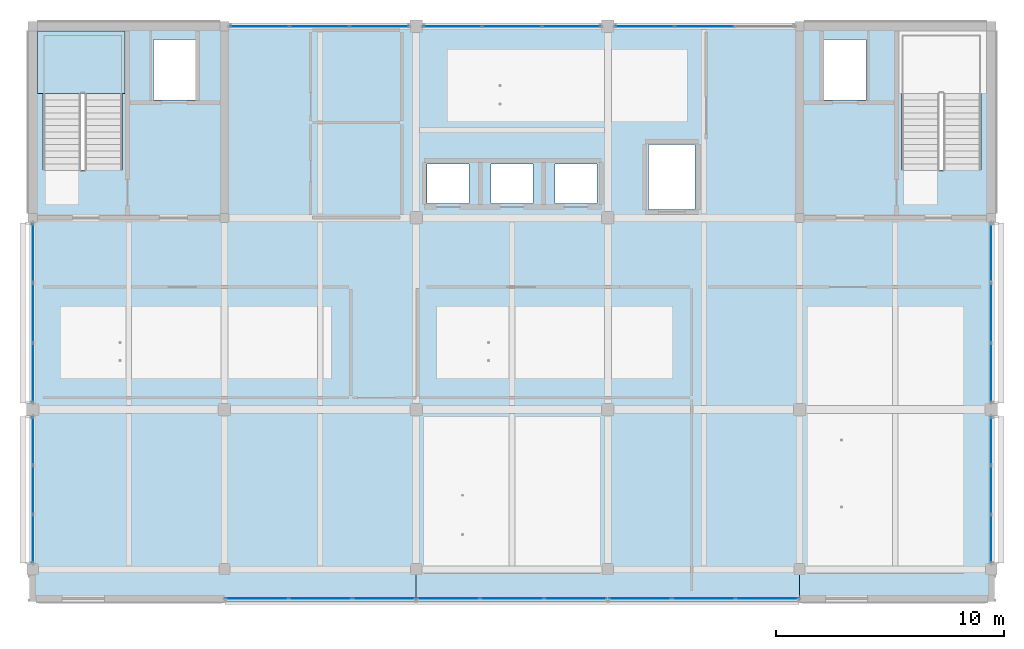
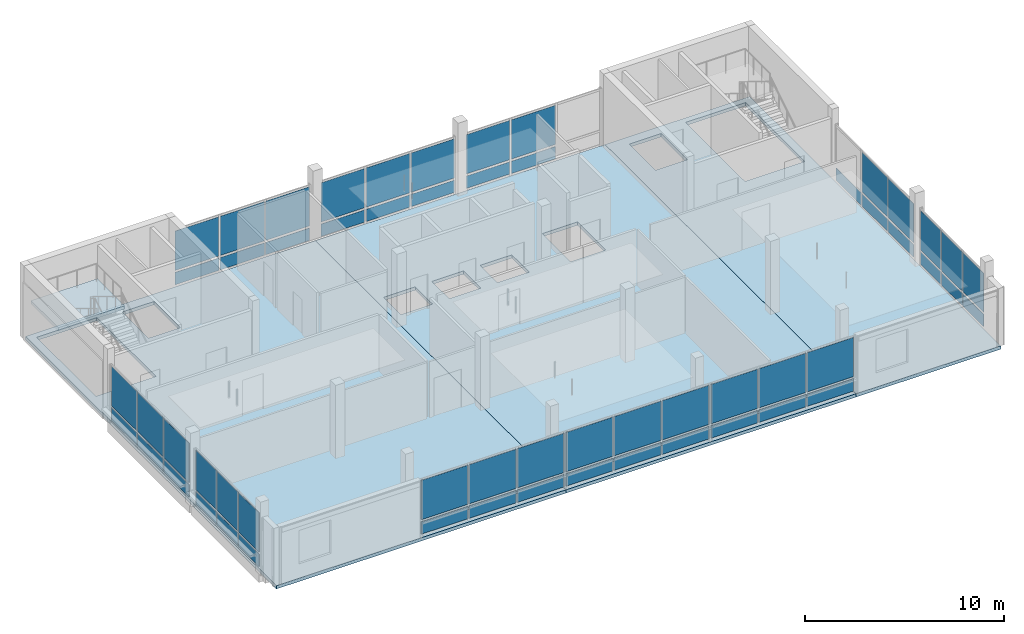
# One storey, part 6 of 20: 57 plates, 4 slabs, 11 elements without a shape of their own.
"""IFC4 building model written with IfcOpenShell, lengths in metres."""

from ifc_helpers import new_model, si_unit, direction, frame, origin, origin_2d, place, context, subcontext, project, spatial, polyline, rectangle, outline, extrude, material, layer, layer_set, type_object, element, aggregate, save


model = new_model("IFC4")

# Units and contexts
model_context = context("Model", 3, precision=1e-05, world=origin(), true_north=direction((0.0, 1.0)))
body_context = subcontext(model_context, "Body", "Model", "MODEL_VIEW")
ifc_project = project(units=[si_unit("LENGTHUNIT", "METRE"), si_unit("AREAUNIT", "SQUARE_METRE"), si_unit("VOLUMEUNIT", "CUBIC_METRE"), si_unit("PLANEANGLEUNIT", "RADIAN"), si_unit("MASSUNIT", "GRAM", prefix="KILO")], contexts=[model_context])

# Site, building, storey
site_placement = place(None, origin())
site = spatial("IfcSite", under=ifc_project, at=site_placement, CompositionType="ELEMENT")
building_placement = place(site_placement, origin())
building = spatial("IfcBuilding", under=site, at=building_placement, Name="Telukmera Botanical Conservatory", CompositionType="ELEMENT")
storey_placement = place(building_placement, frame((0.0, 0.0, 69.0)))
storey = spatial("IfcBuildingStorey", under=building, at=storey_placement, Name="L15", CompositionType="ELEMENT", Elevation=69.0)

# Curtain wall, plates
ifc_material_1 = material(Name="Anodised aluminium 6063-T6", Category="aluminium")
ifc_layer_1 = layer(ifc_material_1, 0.179931640625)
ifc_layer_set_1 = layer_set([ifc_layer_1], Name="Anodised aluminium 6063-T6")
curtain_wall_type = type_object("IfcCurtainWallType", Name="Tower Sky Gallery Panoramic Curtain Wall", PredefinedType="USERDEFINED", material=ifc_layer_set_1)
curtain_wall_1_placement = place(storey_placement, origin())
curtain_wall_1 = element("IfcCurtainWall", 1, at=curtain_wall_1_placement, inside=storey, type_object=curtain_wall_type, Name="Unitised Curtain Wall CW16 V4:L15:S2", ObjectType="UNITISED CURTAIN WALL", PredefinedType="USERDEFINED")
ifc_material_2 = material(Name="Spectrally selective low-E double glazing", Category="glass")
ifc_layer_2 = layer(ifc_material_2, 0.02392578125)
ifc_layer_set_2 = layer_set([ifc_layer_2], Name="Spectrally selective low-E double glazing")
plate_type = type_object("IfcPlateType", Name="High Light Transmission Conservatory Glazing Panel 24", PredefinedType="CURTAIN_PANEL", material=ifc_layer_set_2)
plate_1_placement = place(storey_placement, frame((68.61767578125, 9.320068359375, 0.130126953125), z_axis=(0.0, 0.0, 1.0), x_axis=(1.0, 0.0, 0.0)))
plate_1 = element("IfcPlate", 2, at=plate_1_placement, type_object=plate_type, Name="CW16 panel 1.1", PredefinedType="CURTAIN_PANEL", context=body_context, shape_type="SweptSolid", body=[
    extrude(rectangle(XDim=2.701171875, YDim=0.02392578125, at=origin_2d()), origin(), (0.0, 0.0, 1.0), 0.7548828125),
])
plate_2_placement = place(storey_placement, frame((68.61767578125, 9.320068359375, 1.01513671875), z_axis=(0.0, 0.0, 1.0), x_axis=(1.0, 0.0, 0.0)))
plate_2 = element("IfcPlate", 3, at=plate_2_placement, type_object=plate_type, Name="CW16 panel 1.2", PredefinedType="CURTAIN_PANEL", context=body_context, shape_type="SweptSolid", body=[
    extrude(rectangle(XDim=2.701171875, YDim=0.02392578125, at=origin_2d()), origin(), (0.0, 0.0, 1.0), 2.405029296875),
])
plate_3_placement = place(storey_placement, frame((71.39990234375, 9.320068359375, 0.130126953125), z_axis=(0.0, 0.0, 1.0), x_axis=(1.0, 0.0, 0.0)))
plate_3 = element("IfcPlate", 4, at=plate_3_placement, type_object=plate_type, Name="CW16 panel 2.1", PredefinedType="CURTAIN_PANEL", context=body_context, shape_type="SweptSolid", body=[
    extrude(rectangle(XDim=2.733642578125, YDim=0.02392578125, at=origin_2d()), origin(), (0.0, 0.0, 1.0), 0.7548828125),
])
plate_4_placement = place(storey_placement, frame((71.39990234375, 9.320068359375, 1.01513671875), z_axis=(0.0, 0.0, 1.0), x_axis=(1.0, 0.0, 0.0)))
plate_4 = element("IfcPlate", 5, at=plate_4_placement, type_object=plate_type, Name="CW16 panel 2.2", PredefinedType="CURTAIN_PANEL", context=body_context, shape_type="SweptSolid", body=[
    extrude(rectangle(XDim=2.733642578125, YDim=0.02392578125, at=origin_2d()), origin(), (0.0, 0.0, 1.0), 2.405029296875),
])
plate_5_placement = place(storey_placement, frame((74.182373046875, 9.320068359375, 0.130126953125), z_axis=(0.0, 0.0, 1.0), x_axis=(1.0, 0.0, 0.0)))
plate_5 = element("IfcPlate", 6, at=plate_5_placement, type_object=plate_type, Name="CW16 panel 3.1", PredefinedType="CURTAIN_PANEL", context=body_context, shape_type="SweptSolid", body=[
    extrude(rectangle(XDim=2.701171875, YDim=0.02392578125, at=origin_2d()), origin(), (0.0, 0.0, 1.0), 0.7548828125),
])
plate_6_placement = place(storey_placement, frame((74.182373046875, 9.320068359375, 1.01513671875), z_axis=(0.0, 0.0, 1.0), x_axis=(1.0, 0.0, 0.0)))
plate_6 = element("IfcPlate", 7, at=plate_6_placement, type_object=plate_type, Name="CW16 panel 3.2", PredefinedType="CURTAIN_PANEL", context=body_context, shape_type="SweptSolid", body=[
    extrude(rectangle(XDim=2.701171875, YDim=0.02392578125, at=origin_2d()), origin(), (0.0, 0.0, 1.0), 2.405029296875),
])
aggregate(curtain_wall_1, [plate_1, plate_2, plate_3, plate_4, plate_5, plate_6])

curtain_wall_2_placement = place(storey_placement, origin())
curtain_wall_2 = element("IfcCurtainWall", 8, at=curtain_wall_2_placement, inside=storey, type_object=curtain_wall_type, Name="Unitised Curtain Wall CW16 V4:L15:S3", ObjectType="UNITISED CURTAIN WALL", PredefinedType="USERDEFINED")
plate_7_placement = place(storey_placement, frame((77.017578125, 9.320068359375, 0.130126953125), z_axis=(0.0, 0.0, 1.0), x_axis=(1.0, 0.0, 0.0)))
plate_7 = element("IfcPlate", 9, at=plate_7_placement, type_object=plate_type, Name="CW16 panel 1.1", PredefinedType="CURTAIN_PANEL", context=body_context, shape_type="SweptSolid", body=[
    extrude(rectangle(XDim=2.701171875, YDim=0.02392578125, at=origin_2d()), origin(), (0.0, 0.0, 1.0), 0.7548828125),
])
plate_8_placement = place(storey_placement, frame((77.017578125, 9.320068359375, 1.01513671875), z_axis=(0.0, 0.0, 1.0), x_axis=(1.0, 0.0, 0.0)))
plate_8 = element("IfcPlate", 10, at=plate_8_placement, type_object=plate_type, Name="CW16 panel 1.2", PredefinedType="CURTAIN_PANEL", context=body_context, shape_type="SweptSolid", body=[
    extrude(rectangle(XDim=2.701171875, YDim=0.02392578125, at=origin_2d()), origin(), (0.0, 0.0, 1.0), 2.405029296875),
])
plate_9_placement = place(storey_placement, frame((79.800048828125, 9.320068359375, 0.130126953125), z_axis=(0.0, 0.0, 1.0), x_axis=(1.0, 0.0, 0.0)))
plate_9 = element("IfcPlate", 11, at=plate_9_placement, type_object=plate_type, Name="CW16 panel 2.1", PredefinedType="CURTAIN_PANEL", context=body_context, shape_type="SweptSolid", body=[
    extrude(rectangle(XDim=2.733642578125, YDim=0.02392578125, at=origin_2d()), origin(), (0.0, 0.0, 1.0), 0.7548828125),
])
plate_10_placement = place(storey_placement, frame((79.800048828125, 9.320068359375, 1.01513671875), z_axis=(0.0, 0.0, 1.0), x_axis=(1.0, 0.0, 0.0)))
plate_10 = element("IfcPlate", 12, at=plate_10_placement, type_object=plate_type, Name="CW16 panel 2.2", PredefinedType="CURTAIN_PANEL", context=body_context, shape_type="SweptSolid", body=[
    extrude(rectangle(XDim=2.733642578125, YDim=0.02392578125, at=origin_2d()), origin(), (0.0, 0.0, 1.0), 2.405029296875),
])
plate_11_placement = place(storey_placement, frame((82.58251953125, 9.320068359375, 0.130126953125), z_axis=(0.0, 0.0, 1.0), x_axis=(1.0, 0.0, 0.0)))
plate_11 = element("IfcPlate", 13, at=plate_11_placement, type_object=plate_type, Name="CW16 panel 3.1", PredefinedType="CURTAIN_PANEL", context=body_context, shape_type="SweptSolid", body=[
    extrude(rectangle(XDim=2.701171875, YDim=0.02392578125, at=origin_2d()), origin(), (0.0, 0.0, 1.0), 0.7548828125),
])
plate_12_placement = place(storey_placement, frame((82.58251953125, 9.320068359375, 1.01513671875), z_axis=(0.0, 0.0, 1.0), x_axis=(1.0, 0.0, 0.0)))
plate_12 = element("IfcPlate", 14, at=plate_12_placement, type_object=plate_type, Name="CW16 panel 3.2", PredefinedType="CURTAIN_PANEL", context=body_context, shape_type="SweptSolid", body=[
    extrude(rectangle(XDim=2.701171875, YDim=0.02392578125, at=origin_2d()), origin(), (0.0, 0.0, 1.0), 2.405029296875),
])
aggregate(curtain_wall_2, [plate_7, plate_8, plate_9, plate_10, plate_11, plate_12])

curtain_wall_3_placement = place(storey_placement, origin())
curtain_wall_3 = element("IfcCurtainWall", 15, at=curtain_wall_3_placement, inside=storey, type_object=curtain_wall_type, Name="Unitised Curtain Wall CW16 V4:L15:S4", ObjectType="UNITISED CURTAIN WALL", PredefinedType="USERDEFINED")
plate_13_placement = place(storey_placement, frame((85.41748046875, 9.320068359375, 0.130126953125), z_axis=(0.0, 0.0, 1.0), x_axis=(1.0, 0.0, 0.0)))
plate_13 = element("IfcPlate", 16, at=plate_13_placement, type_object=plate_type, Name="CW16 panel 1.1", PredefinedType="CURTAIN_PANEL", context=body_context, shape_type="SweptSolid", body=[
    extrude(rectangle(XDim=2.701171875, YDim=0.02392578125, at=origin_2d()), origin(), (0.0, 0.0, 1.0), 0.7548828125),
])
plate_14_placement = place(storey_placement, frame((85.41748046875, 9.320068359375, 1.01513671875), z_axis=(0.0, 0.0, 1.0), x_axis=(1.0, 0.0, 0.0)))
plate_14 = element("IfcPlate", 17, at=plate_14_placement, type_object=plate_type, Name="CW16 panel 1.2", PredefinedType="CURTAIN_PANEL", context=body_context, shape_type="SweptSolid", body=[
    extrude(rectangle(XDim=2.701171875, YDim=0.02392578125, at=origin_2d()), origin(), (0.0, 0.0, 1.0), 2.405029296875),
])
plate_15_placement = place(storey_placement, frame((88.199951171875, 9.320068359375, 0.130126953125), z_axis=(0.0, 0.0, 1.0), x_axis=(1.0, 0.0, 0.0)))
plate_15 = element("IfcPlate", 18, at=plate_15_placement, type_object=plate_type, Name="CW16 panel 2.1", PredefinedType="CURTAIN_PANEL", context=body_context, shape_type="SweptSolid", body=[
    extrude(rectangle(XDim=2.733642578125, YDim=0.02392578125, at=origin_2d()), origin(), (0.0, 0.0, 1.0), 0.7548828125),
])
plate_16_placement = place(storey_placement, frame((88.199951171875, 9.320068359375, 1.01513671875), z_axis=(0.0, 0.0, 1.0), x_axis=(1.0, 0.0, 0.0)))
plate_16 = element("IfcPlate", 19, at=plate_16_placement, type_object=plate_type, Name="CW16 panel 2.2", PredefinedType="CURTAIN_PANEL", context=body_context, shape_type="SweptSolid", body=[
    extrude(rectangle(XDim=2.733642578125, YDim=0.02392578125, at=origin_2d()), origin(), (0.0, 0.0, 1.0), 2.405029296875),
])
plate_17_placement = place(storey_placement, frame((90.982421875, 9.320068359375, 0.130126953125), z_axis=(0.0, 0.0, 1.0), x_axis=(1.0, 0.0, 0.0)))
plate_17 = element("IfcPlate", 20, at=plate_17_placement, type_object=plate_type, Name="CW16 panel 3.1", PredefinedType="CURTAIN_PANEL", context=body_context, shape_type="SweptSolid", body=[
    extrude(rectangle(XDim=2.701171875, YDim=0.02392578125, at=origin_2d()), origin(), (0.0, 0.0, 1.0), 0.7548828125),
])
plate_18_placement = place(storey_placement, frame((90.982421875, 9.320068359375, 1.01513671875), z_axis=(0.0, 0.0, 1.0), x_axis=(1.0, 0.0, 0.0)))
plate_18 = element("IfcPlate", 21, at=plate_18_placement, type_object=plate_type, Name="CW16 panel 3.2", PredefinedType="CURTAIN_PANEL", context=body_context, shape_type="SweptSolid", body=[
    extrude(rectangle(XDim=2.701171875, YDim=0.02392578125, at=origin_2d()), origin(), (0.0, 0.0, 1.0), 2.405029296875),
])
aggregate(curtain_wall_3, [plate_13, plate_14, plate_15, plate_16, plate_17, plate_18])

curtain_wall_4_placement = place(storey_placement, origin())
curtain_wall_4 = element("IfcCurtainWall", 22, at=curtain_wall_4_placement, inside=storey, type_object=curtain_wall_type, Name="Unitised Curtain Wall CW16 V4:L15:N2", ObjectType="UNITISED CURTAIN WALL", PredefinedType="USERDEFINED")
plate_19_placement = place(storey_placement, frame((68.738525390625, 34.39990234375, 0.130126953125), z_axis=(0.0, 0.0, 1.0), x_axis=(1.0, 0.0, 0.0)))
plate_19 = element("IfcPlate", 23, at=plate_19_placement, type_object=plate_type, Name="CW16 panel 1.1", PredefinedType="CURTAIN_PANEL", context=body_context, shape_type="SweptSolid", body=[
    extrude(rectangle(XDim=2.542724609375, YDim=0.02392578125, at=origin_2d()), origin(), (0.0, 0.0, 1.0), 0.7548828125),
])
plate_20_placement = place(storey_placement, frame((68.738525390625, 34.39990234375, 1.01513671875), z_axis=(0.0, 0.0, 1.0), x_axis=(1.0, 0.0, 0.0)))
plate_20 = element("IfcPlate", 24, at=plate_20_placement, type_object=plate_type, Name="CW16 panel 1.2", PredefinedType="CURTAIN_PANEL", context=body_context, shape_type="SweptSolid", body=[
    extrude(rectangle(XDim=2.542724609375, YDim=0.02392578125, at=origin_2d()), origin(), (0.0, 0.0, 1.0), 2.405029296875),
])
plate_21_placement = place(storey_placement, frame((71.362548828125, 34.39990234375, 0.130126953125), z_axis=(0.0, 0.0, 1.0), x_axis=(1.0, 0.0, 0.0)))
plate_21 = element("IfcPlate", 25, at=plate_21_placement, type_object=plate_type, Name="CW16 panel 2.1", PredefinedType="CURTAIN_PANEL", context=body_context, shape_type="SweptSolid", body=[
    extrude(rectangle(XDim=2.575439453125, YDim=0.02392578125, at=origin_2d()), origin(), (0.0, 0.0, 1.0), 0.7548828125),
])
plate_22_placement = place(storey_placement, frame((71.362548828125, 34.39990234375, 1.01513671875), z_axis=(0.0, 0.0, 1.0), x_axis=(1.0, 0.0, 0.0)))
plate_22 = element("IfcPlate", 26, at=plate_22_placement, type_object=plate_type, Name="CW16 panel 2.2", PredefinedType="CURTAIN_PANEL", context=body_context, shape_type="SweptSolid", body=[
    extrude(rectangle(XDim=2.575439453125, YDim=0.02392578125, at=origin_2d()), origin(), (0.0, 0.0, 1.0), 2.405029296875),
])
plate_23_placement = place(storey_placement, frame((73.986572265625, 34.39990234375, 0.130126953125), z_axis=(0.0, 0.0, 1.0), x_axis=(1.0, 0.0, 0.0)))
plate_23 = element("IfcPlate", 27, at=plate_23_placement, type_object=plate_type, Name="CW16 panel 3.1", PredefinedType="CURTAIN_PANEL", context=body_context, shape_type="SweptSolid", body=[
    extrude(rectangle(XDim=2.542724609375, YDim=0.02392578125, at=origin_2d()), origin(), (0.0, 0.0, 1.0), 0.7548828125),
])
plate_24_placement = place(storey_placement, frame((73.986572265625, 34.39990234375, 1.01513671875), z_axis=(0.0, 0.0, 1.0), x_axis=(1.0, 0.0, 0.0)))
plate_24 = element("IfcPlate", 28, at=plate_24_placement, type_object=plate_type, Name="CW16 panel 3.2", PredefinedType="CURTAIN_PANEL", context=body_context, shape_type="SweptSolid", body=[
    extrude(rectangle(XDim=2.542724609375, YDim=0.02392578125, at=origin_2d()), origin(), (0.0, 0.0, 1.0), 2.405029296875),
])
aggregate(curtain_wall_4, [plate_19, plate_20, plate_21, plate_22, plate_23, plate_24])

curtain_wall_5_placement = place(storey_placement, origin())
curtain_wall_5 = element("IfcCurtainWall", 29, at=curtain_wall_5_placement, inside=storey, type_object=curtain_wall_type, Name="Unitised Curtain Wall CW16 V4:L15:N3", ObjectType="UNITISED CURTAIN WALL", PredefinedType="USERDEFINED")
plate_25_placement = place(storey_placement, frame((77.200927734375, 34.39990234375, 0.130126953125), z_axis=(0.0, 0.0, 1.0), x_axis=(1.0, 0.0, 0.0)))
plate_25 = element("IfcPlate", 30, at=plate_25_placement, type_object=plate_type, Name="CW16 panel 1.1", PredefinedType="CURTAIN_PANEL", context=body_context, shape_type="SweptSolid", body=[
    extrude(rectangle(XDim=2.517822265625, YDim=0.02392578125, at=origin_2d()), origin(), (0.0, 0.0, 1.0), 0.7548828125),
])
plate_26_placement = place(storey_placement, frame((77.200927734375, 34.39990234375, 1.01513671875), z_axis=(0.0, 0.0, 1.0), x_axis=(1.0, 0.0, 0.0)))
plate_26 = element("IfcPlate", 31, at=plate_26_placement, type_object=plate_type, Name="CW16 panel 1.2", PredefinedType="CURTAIN_PANEL", context=body_context, shape_type="SweptSolid", body=[
    extrude(rectangle(XDim=2.517822265625, YDim=0.02392578125, at=origin_2d()), origin(), (0.0, 0.0, 1.0), 2.405029296875),
])
plate_27_placement = place(storey_placement, frame((79.800048828125, 34.39990234375, 0.130126953125), z_axis=(0.0, 0.0, 1.0), x_axis=(1.0, 0.0, 0.0)))
plate_27 = element("IfcPlate", 32, at=plate_27_placement, type_object=plate_type, Name="CW16 panel 2.1", PredefinedType="CURTAIN_PANEL", context=body_context, shape_type="SweptSolid", body=[
    extrude(rectangle(XDim=2.55029296875, YDim=0.02392578125, at=origin_2d()), origin(), (0.0, 0.0, 1.0), 0.7548828125),
])
plate_28_placement = place(storey_placement, frame((79.800048828125, 34.39990234375, 1.01513671875), z_axis=(0.0, 0.0, 1.0), x_axis=(1.0, 0.0, 0.0)))
plate_28 = element("IfcPlate", 33, at=plate_28_placement, type_object=plate_type, Name="CW16 panel 2.2", PredefinedType="CURTAIN_PANEL", context=body_context, shape_type="SweptSolid", body=[
    extrude(rectangle(XDim=2.55029296875, YDim=0.02392578125, at=origin_2d()), origin(), (0.0, 0.0, 1.0), 2.405029296875),
])
plate_29_placement = place(storey_placement, frame((82.399169921875, 34.39990234375, 0.130126953125), z_axis=(0.0, 0.0, 1.0), x_axis=(1.0, 0.0, 0.0)))
plate_29 = element("IfcPlate", 34, at=plate_29_placement, type_object=plate_type, Name="CW16 panel 3.1", PredefinedType="CURTAIN_PANEL", context=body_context, shape_type="SweptSolid", body=[
    extrude(rectangle(XDim=2.517822265625, YDim=0.02392578125, at=origin_2d()), origin(), (0.0, 0.0, 1.0), 0.7548828125),
])
plate_30_placement = place(storey_placement, frame((82.399169921875, 34.39990234375, 1.01513671875), z_axis=(0.0, 0.0, 1.0), x_axis=(1.0, 0.0, 0.0)))
plate_30 = element("IfcPlate", 35, at=plate_30_placement, type_object=plate_type, Name="CW16 panel 3.2", PredefinedType="CURTAIN_PANEL", context=body_context, shape_type="SweptSolid", body=[
    extrude(rectangle(XDim=2.517822265625, YDim=0.02392578125, at=origin_2d()), origin(), (0.0, 0.0, 1.0), 2.405029296875),
])
aggregate(curtain_wall_5, [plate_25, plate_26, plate_27, plate_28, plate_29, plate_30])

curtain_wall_6_placement = place(storey_placement, origin())
curtain_wall_6 = element("IfcCurtainWall", 36, at=curtain_wall_6_placement, inside=storey, type_object=curtain_wall_type, Name="Unitised Curtain Wall CW16 V4:L15:N4", ObjectType="UNITISED CURTAIN WALL", PredefinedType="USERDEFINED")
plate_31_placement = place(storey_placement, frame((85.613525390625, 34.39990234375, 0.130126953125), z_axis=(0.0, 0.0, 1.0), x_axis=(1.0, 0.0, 0.0)))
plate_31 = element("IfcPlate", 37, at=plate_31_placement, type_object=plate_type, Name="CW16 panel 1.1", PredefinedType="CURTAIN_PANEL", context=body_context, shape_type="SweptSolid", body=[
    extrude(rectangle(XDim=2.542724609375, YDim=0.02392578125, at=origin_2d()), origin(), (0.0, 0.0, 1.0), 0.7548828125),
])
plate_32_placement = place(storey_placement, frame((85.613525390625, 34.39990234375, 1.01513671875), z_axis=(0.0, 0.0, 1.0), x_axis=(1.0, 0.0, 0.0)))
plate_32 = element("IfcPlate", 38, at=plate_32_placement, type_object=plate_type, Name="CW16 panel 1.2", PredefinedType="CURTAIN_PANEL", context=body_context, shape_type="SweptSolid", body=[
    extrude(rectangle(XDim=2.542724609375, YDim=0.02392578125, at=origin_2d()), origin(), (0.0, 0.0, 1.0), 2.405029296875),
])
plate_33_placement = place(storey_placement, frame((88.237548828125, 34.39990234375, 0.130126953125), z_axis=(0.0, 0.0, 1.0), x_axis=(1.0, 0.0, 0.0)))
plate_33 = element("IfcPlate", 39, at=plate_33_placement, type_object=plate_type, Name="CW16 panel 2.1", PredefinedType="CURTAIN_PANEL", context=body_context, shape_type="SweptSolid", body=[
    extrude(rectangle(XDim=2.575439453125, YDim=0.02392578125, at=origin_2d()), origin(), (0.0, 0.0, 1.0), 0.7548828125),
])
plate_34_placement = place(storey_placement, frame((88.237548828125, 34.39990234375, 1.01513671875), z_axis=(0.0, 0.0, 1.0), x_axis=(1.0, 0.0, 0.0)))
plate_34 = element("IfcPlate", 40, at=plate_34_placement, type_object=plate_type, Name="CW16 panel 2.2", PredefinedType="CURTAIN_PANEL", context=body_context, shape_type="SweptSolid", body=[
    extrude(rectangle(XDim=2.575439453125, YDim=0.02392578125, at=origin_2d()), origin(), (0.0, 0.0, 1.0), 2.405029296875),
])
aggregate(curtain_wall_6, [plate_31, plate_32, plate_33, plate_34])

curtain_wall_7_placement = place(storey_placement, origin())
curtain_wall_7 = element("IfcCurtainWall", 41, at=curtain_wall_7_placement, inside=storey, type_object=curtain_wall_type, Name="Unitised Curtain Wall CW16 V4:L15:W1", ObjectType="UNITISED CURTAIN WALL", PredefinedType="USERDEFINED")
plate_35_placement = place(storey_placement, frame((58.800048828125, 11.94677734375, 0.130126953125), z_axis=(0.0, 0.0, 1.0), x_axis=(0.0, 1.0, 0.0)))
plate_35 = element("IfcPlate", 42, at=plate_35_placement, type_object=plate_type, Name="CW16 panel 1.1", PredefinedType="CURTAIN_PANEL", context=body_context, shape_type="SweptSolid", body=[
    extrude(rectangle(XDim=2.0595703125, YDim=0.02392578125, at=origin_2d()), origin(), (0.0, 0.0, 1.0), 0.7548828125),
])
plate_36_placement = place(storey_placement, frame((58.800048828125, 11.94677734375, 1.01513671875), z_axis=(0.0, 0.0, 1.0), x_axis=(0.0, 1.0, 0.0)))
plate_36 = element("IfcPlate", 43, at=plate_36_placement, type_object=plate_type, Name="CW16 panel 1.2", PredefinedType="CURTAIN_PANEL", context=body_context, shape_type="SweptSolid", body=[
    extrude(rectangle(XDim=2.0595703125, YDim=0.02392578125, at=origin_2d()), origin(), (0.0, 0.0, 1.0), 2.405029296875),
])
plate_37_placement = place(storey_placement, frame((58.800048828125, 14.08740234375, 0.130126953125), z_axis=(0.0, 0.0, 1.0), x_axis=(0.0, 1.0, 0.0)))
plate_37 = element("IfcPlate", 44, at=plate_37_placement, type_object=plate_type, Name="CW16 panel 2.1", PredefinedType="CURTAIN_PANEL", context=body_context, shape_type="SweptSolid", body=[
    extrude(rectangle(XDim=2.092041015625, YDim=0.02392578125, at=origin_2d()), origin(), (0.0, 0.0, 1.0), 0.7548828125),
])
plate_38_placement = place(storey_placement, frame((58.800048828125, 14.08740234375, 1.01513671875), z_axis=(0.0, 0.0, 1.0), x_axis=(0.0, 1.0, 0.0)))
plate_38 = element("IfcPlate", 45, at=plate_38_placement, type_object=plate_type, Name="CW16 panel 2.2", PredefinedType="CURTAIN_PANEL", context=body_context, shape_type="SweptSolid", body=[
    extrude(rectangle(XDim=2.092041015625, YDim=0.02392578125, at=origin_2d()), origin(), (0.0, 0.0, 1.0), 2.405029296875),
])
plate_39_placement = place(storey_placement, frame((58.800048828125, 16.228271484375, 0.130126953125), z_axis=(0.0, 0.0, 1.0), x_axis=(0.0, 1.0, 0.0)))
plate_39 = element("IfcPlate", 46, at=plate_39_placement, type_object=plate_type, Name="CW16 panel 3.1", PredefinedType="CURTAIN_PANEL", context=body_context, shape_type="SweptSolid", body=[
    extrude(rectangle(XDim=2.0595703125, YDim=0.02392578125, at=origin_2d()), origin(), (0.0, 0.0, 1.0), 0.7548828125),
])
plate_40_placement = place(storey_placement, frame((58.800048828125, 16.228271484375, 1.01513671875), z_axis=(0.0, 0.0, 1.0), x_axis=(0.0, 1.0, 0.0)))
plate_40 = element("IfcPlate", 47, at=plate_40_placement, type_object=plate_type, Name="CW16 panel 3.2", PredefinedType="CURTAIN_PANEL", context=body_context, shape_type="SweptSolid", body=[
    extrude(rectangle(XDim=2.0595703125, YDim=0.02392578125, at=origin_2d()), origin(), (0.0, 0.0, 1.0), 2.405029296875),
])
aggregate(curtain_wall_7, [plate_35, plate_36, plate_37, plate_38, plate_39, plate_40])

curtain_wall_8_placement = place(storey_placement, origin())
curtain_wall_8 = element("IfcCurtainWall", 48, at=curtain_wall_8_placement, inside=storey, type_object=curtain_wall_type, Name="Unitised Curtain Wall CW16 V4:L15:E1", ObjectType="UNITISED CURTAIN WALL", PredefinedType="USERDEFINED")
plate_41_placement = place(storey_placement, frame((100.800048828125, 11.94677734375, 0.130126953125), z_axis=(0.0, 0.0, 1.0), x_axis=(0.0, 1.0, 0.0)))
plate_41 = element("IfcPlate", 49, at=plate_41_placement, type_object=plate_type, Name="CW16 panel 1.1", PredefinedType="CURTAIN_PANEL", context=body_context, shape_type="SweptSolid", body=[
    extrude(rectangle(XDim=2.0595703125, YDim=0.02392578125, at=origin_2d()), origin(), (0.0, 0.0, 1.0), 0.7548828125),
])
plate_42_placement = place(storey_placement, frame((100.800048828125, 11.94677734375, 1.01513671875), z_axis=(0.0, 0.0, 1.0), x_axis=(0.0, 1.0, 0.0)))
plate_42 = element("IfcPlate", 50, at=plate_42_placement, type_object=plate_type, Name="CW16 panel 1.2", PredefinedType="CURTAIN_PANEL", context=body_context, shape_type="SweptSolid", body=[
    extrude(rectangle(XDim=2.0595703125, YDim=0.02392578125, at=origin_2d()), origin(), (0.0, 0.0, 1.0), 2.405029296875),
])
plate_43_placement = place(storey_placement, frame((100.800048828125, 14.08740234375, 0.130126953125), z_axis=(0.0, 0.0, 1.0), x_axis=(0.0, 1.0, 0.0)))
plate_43 = element("IfcPlate", 51, at=plate_43_placement, type_object=plate_type, Name="CW16 panel 2.1", PredefinedType="CURTAIN_PANEL", context=body_context, shape_type="SweptSolid", body=[
    extrude(rectangle(XDim=2.092041015625, YDim=0.02392578125, at=origin_2d()), origin(), (0.0, 0.0, 1.0), 0.7548828125),
])
plate_44_placement = place(storey_placement, frame((100.800048828125, 14.08740234375, 1.01513671875), z_axis=(0.0, 0.0, 1.0), x_axis=(0.0, 1.0, 0.0)))
plate_44 = element("IfcPlate", 52, at=plate_44_placement, type_object=plate_type, Name="CW16 panel 2.2", PredefinedType="CURTAIN_PANEL", context=body_context, shape_type="SweptSolid", body=[
    extrude(rectangle(XDim=2.092041015625, YDim=0.02392578125, at=origin_2d()), origin(), (0.0, 0.0, 1.0), 2.405029296875),
])
plate_45_placement = place(storey_placement, frame((100.800048828125, 16.228271484375, 0.130126953125), z_axis=(0.0, 0.0, 1.0), x_axis=(0.0, 1.0, 0.0)))
plate_45 = element("IfcPlate", 53, at=plate_45_placement, type_object=plate_type, Name="CW16 panel 3.1", PredefinedType="CURTAIN_PANEL", context=body_context, shape_type="SweptSolid", body=[
    extrude(rectangle(XDim=2.0595703125, YDim=0.02392578125, at=origin_2d()), origin(), (0.0, 0.0, 1.0), 0.7548828125),
])
plate_46_placement = place(storey_placement, frame((100.800048828125, 16.228271484375, 1.01513671875), z_axis=(0.0, 0.0, 1.0), x_axis=(0.0, 1.0, 0.0)))
plate_46 = element("IfcPlate", 54, at=plate_46_placement, type_object=plate_type, Name="CW16 panel 3.2", PredefinedType="CURTAIN_PANEL", context=body_context, shape_type="SweptSolid", body=[
    extrude(rectangle(XDim=2.0595703125, YDim=0.02392578125, at=origin_2d()), origin(), (0.0, 0.0, 1.0), 2.405029296875),
])
aggregate(curtain_wall_8, [plate_41, plate_42, plate_43, plate_44, plate_45, plate_46])

curtain_wall_9_placement = place(storey_placement, origin())
curtain_wall_9 = element("IfcCurtainWall", 55, at=curtain_wall_9_placement, inside=storey, type_object=curtain_wall_type, Name="Unitised Curtain Wall CW16 V4:L15:W2", ObjectType="UNITISED CURTAIN WALL", PredefinedType="USERDEFINED")
plate_47_placement = place(storey_placement, frame((58.800048828125, 19.21337890625, 0.130126953125), z_axis=(0.0, 0.0, 1.0), x_axis=(0.0, 1.0, 0.0)))
plate_47 = element("IfcPlate", 56, at=plate_47_placement, type_object=plate_type, Name="CW16 panel 1.1", PredefinedType="CURTAIN_PANEL", context=body_context, shape_type="SweptSolid", body=[
    extrude(rectangle(XDim=2.542724609375, YDim=0.02392578125, at=origin_2d()), origin(), (0.0, 0.0, 1.0), 0.7548828125),
])
plate_48_placement = place(storey_placement, frame((58.800048828125, 19.21337890625, 1.01513671875), z_axis=(0.0, 0.0, 1.0), x_axis=(0.0, 1.0, 0.0)))
plate_48 = element("IfcPlate", 57, at=plate_48_placement, type_object=plate_type, Name="CW16 panel 1.2", PredefinedType="CURTAIN_PANEL", context=body_context, shape_type="SweptSolid", body=[
    extrude(rectangle(XDim=2.542724609375, YDim=0.02392578125, at=origin_2d()), origin(), (0.0, 0.0, 1.0), 2.405029296875),
])
plate_49_placement = place(storey_placement, frame((58.800048828125, 21.83740234375, 0.130126953125), z_axis=(0.0, 0.0, 1.0), x_axis=(0.0, 1.0, 0.0)))
plate_49 = element("IfcPlate", 58, at=plate_49_placement, type_object=plate_type, Name="CW16 panel 2.1", PredefinedType="CURTAIN_PANEL", context=body_context, shape_type="SweptSolid", body=[
    extrude(rectangle(XDim=2.575439453125, YDim=0.02392578125, at=origin_2d()), origin(), (0.0, 0.0, 1.0), 0.7548828125),
])
plate_50_placement = place(storey_placement, frame((58.800048828125, 21.83740234375, 1.01513671875), z_axis=(0.0, 0.0, 1.0), x_axis=(0.0, 1.0, 0.0)))
plate_50 = element("IfcPlate", 59, at=plate_50_placement, type_object=plate_type, Name="CW16 panel 2.2", PredefinedType="CURTAIN_PANEL", context=body_context, shape_type="SweptSolid", body=[
    extrude(rectangle(XDim=2.575439453125, YDim=0.02392578125, at=origin_2d()), origin(), (0.0, 0.0, 1.0), 2.405029296875),
])
plate_51_placement = place(storey_placement, frame((58.800048828125, 24.461669921875, 0.130126953125), z_axis=(0.0, 0.0, 1.0), x_axis=(0.0, 1.0, 0.0)))
plate_51 = element("IfcPlate", 60, at=plate_51_placement, type_object=plate_type, Name="CW16 panel 3.1", PredefinedType="CURTAIN_PANEL", context=body_context, shape_type="SweptSolid", body=[
    extrude(rectangle(XDim=2.542724609375, YDim=0.02392578125, at=origin_2d()), origin(), (0.0, 0.0, 1.0), 0.7548828125),
])
plate_52_placement = place(storey_placement, frame((58.800048828125, 24.461669921875, 1.01513671875), z_axis=(0.0, 0.0, 1.0), x_axis=(0.0, 1.0, 0.0)))
plate_52 = element("IfcPlate", 61, at=plate_52_placement, type_object=plate_type, Name="CW16 panel 3.2", PredefinedType="CURTAIN_PANEL", context=body_context, shape_type="SweptSolid", body=[
    extrude(rectangle(XDim=2.542724609375, YDim=0.02392578125, at=origin_2d()), origin(), (0.0, 0.0, 1.0), 2.405029296875),
])
aggregate(curtain_wall_9, [plate_47, plate_48, plate_49, plate_50, plate_51, plate_52])

curtain_wall_10_placement = place(storey_placement, origin())
curtain_wall_10 = element("IfcCurtainWall", 62, at=curtain_wall_10_placement, inside=storey, type_object=curtain_wall_type, Name="Unitised Curtain Wall CW16 V4:L15:E2", ObjectType="UNITISED CURTAIN WALL", PredefinedType="USERDEFINED")
plate_53_placement = place(storey_placement, frame((100.800048828125, 19.21337890625, 0.130126953125), z_axis=(0.0, 0.0, 1.0), x_axis=(0.0, 1.0, 0.0)))
plate_53 = element("IfcPlate", 63, at=plate_53_placement, type_object=plate_type, Name="CW16 panel 1.1", PredefinedType="CURTAIN_PANEL", context=body_context, shape_type="SweptSolid", body=[
    extrude(rectangle(XDim=2.542724609375, YDim=0.02392578125, at=origin_2d()), origin(), (0.0, 0.0, 1.0), 0.7548828125),
])
plate_54_placement = place(storey_placement, frame((100.800048828125, 19.21337890625, 1.01513671875), z_axis=(0.0, 0.0, 1.0), x_axis=(0.0, 1.0, 0.0)))
plate_54 = element("IfcPlate", 64, at=plate_54_placement, type_object=plate_type, Name="CW16 panel 1.2", PredefinedType="CURTAIN_PANEL", context=body_context, shape_type="SweptSolid", body=[
    extrude(rectangle(XDim=2.542724609375, YDim=0.02392578125, at=origin_2d()), origin(), (0.0, 0.0, 1.0), 2.405029296875),
])
plate_55_placement = place(storey_placement, frame((100.800048828125, 21.83740234375, 0.130126953125), z_axis=(0.0, 0.0, 1.0), x_axis=(0.0, 1.0, 0.0)))
plate_55 = element("IfcPlate", 65, at=plate_55_placement, type_object=plate_type, Name="CW16 panel 2.1", PredefinedType="CURTAIN_PANEL", context=body_context, shape_type="SweptSolid", body=[
    extrude(rectangle(XDim=2.575439453125, YDim=0.02392578125, at=origin_2d()), origin(), (0.0, 0.0, 1.0), 0.7548828125),
])
plate_56_placement = place(storey_placement, frame((100.800048828125, 21.83740234375, 1.01513671875), z_axis=(0.0, 0.0, 1.0), x_axis=(0.0, 1.0, 0.0)))
plate_56 = element("IfcPlate", 66, at=plate_56_placement, type_object=plate_type, Name="CW16 panel 2.2", PredefinedType="CURTAIN_PANEL", context=body_context, shape_type="SweptSolid", body=[
    extrude(rectangle(XDim=2.575439453125, YDim=0.02392578125, at=origin_2d()), origin(), (0.0, 0.0, 1.0), 2.405029296875),
])
plate_57_placement = place(storey_placement, frame((100.800048828125, 24.461669921875, 0.130126953125), z_axis=(0.0, 0.0, 1.0), x_axis=(0.0, 1.0, 0.0)))
plate_57 = element("IfcPlate", 67, at=plate_57_placement, type_object=plate_type, Name="CW16 panel 3.1", PredefinedType="CURTAIN_PANEL", context=body_context, shape_type="SweptSolid", body=[
    extrude(rectangle(XDim=2.542724609375, YDim=0.02392578125, at=origin_2d()), origin(), (0.0, 0.0, 1.0), 0.7548828125),
])
aggregate(curtain_wall_10, [plate_53, plate_54, plate_55, plate_56, plate_57])

# Stair, slab
ifc_material_3 = material(Name="Concrete C40/50", Category="concrete")
stair_type = type_object("IfcStairType", Name="ST-ESC-4500", PredefinedType="HALF_TURN_STAIR", material=ifc_material_3)
stair_placement = place(storey_placement, origin())
stair = element("IfcStair", 68, at=stair_placement, inside=storey, type_object=stair_type, Name="L15 Protected Escape Stair ST1", PredefinedType="HALF_TURN_STAIR")
ifc_layer_3 = layer(ifc_material_3, 0.199951171875)
ifc_layer_set_3 = layer_set([ifc_layer_3], Name="Concrete C40/50")
slab_type_1 = type_object("IfcSlabType", Name="SL-LAND-200", PredefinedType="LANDING", material=ifc_layer_set_3)
slab_1_placement = place(storey_placement, frame((0.0, 0.0, 2.050048828125)))
slab_1 = element("IfcSlab", 69, at=slab_1_placement, type_object=slab_type_1, Name="ST1 landing 1", PredefinedType="LANDING", context=body_context, shape_type="SweptSolid", body=[
    extrude(outline(polyline([(59.0048828125, 31.449951171875), (62.844970703125, 31.449951171875), (62.844970703125, 34.195068359375), (59.0048828125, 34.195068359375), (59.0048828125, 31.449951171875)])), origin(), (0.0, 0.0, 1.0), 0.199951171875),
])
aggregate(stair, [slab_1])

# Slabs
ifc_layer_4 = layer(ifc_material_3, 0.199951171875)
ifc_layer_set_4 = layer_set([ifc_layer_4], Name="Concrete C40/50")
slab_type_2 = type_object("IfcSlabType", Name="Slab_FS20", PredefinedType="FLOOR", material=ifc_layer_set_4)
slab_2_placement = place(storey_placement, frame((0.0, 0.0, -0.199951171875)))
element("IfcSlab", 70, at=slab_2_placement, inside=storey, type_object=slab_type_2, Name="Tower Floor Slab L15 (WEST)", PredefinedType="FLOOR", context=body_context, shape_type="SweptSolid", body=[
    extrude(outline(polyline([(58.800048828125, 9.199951171875), (75.60009765625, 9.199951171875), (75.60009765625, 34.39990234375), (58.800048828125, 34.39990234375), (58.800048828125, 9.199951171875)]), holes=[polyline([(62.72998046875, 28.093017578125), (62.72998046875, 34.050048828125), (59.25, 34.050048828125), (59.25, 28.093017578125), (62.72998046875, 28.093017578125)]), polyline([(64.080078125, 31.179931640625), (65.919921875, 31.179931640625), (65.919921875, 33.820068359375), (64.080078125, 33.820068359375), (64.080078125, 31.179931640625)])]), origin(), (0.0, 0.0, 1.0), 0.199951171875),
])
slab_3_placement = place(storey_placement, frame((0.0, 0.0, -0.199951171875)))
element("IfcSlab", 71, at=slab_3_placement, inside=storey, type_object=slab_type_2, Name="Tower Floor Slab L15 (CENT)", PredefinedType="FLOOR", context=body_context, shape_type="SweptSolid", body=[
    extrude(outline(polyline([(75.60009765625, 9.199951171875), (92.39990234375, 9.199951171875), (92.39990234375, 34.39990234375), (75.60009765625, 34.39990234375), (75.60009765625, 9.199951171875)]), holes=[polyline([(85.780029296875, 26.3798828125), (87.820068359375, 26.3798828125), (87.820068359375, 29.219970703125), (85.780029296875, 29.219970703125), (85.780029296875, 26.3798828125)]), polyline([(76.080078125, 26.6298828125), (77.919921875, 26.6298828125), (77.919921875, 28.3701171875), (76.080078125, 28.3701171875), (76.080078125, 26.6298828125)]), polyline([(78.8798828125, 26.6298828125), (80.719970703125, 26.6298828125), (80.719970703125, 28.3701171875), (78.8798828125, 28.3701171875), (78.8798828125, 26.6298828125)]), polyline([(81.679931640625, 26.6298828125), (83.52001953125, 26.6298828125), (83.52001953125, 28.3701171875), (81.679931640625, 28.3701171875), (81.679931640625, 26.6298828125)])]), origin(), (0.0, 0.0, 1.0), 0.199951171875),
])
slab_4_placement = place(storey_placement, frame((0.0, 0.0, -0.199951171875)))
element("IfcSlab", 72, at=slab_4_placement, inside=storey, type_object=slab_type_2, Name="Tower Floor Slab L15 (EAST)", PredefinedType="FLOOR", context=body_context, shape_type="SweptSolid", body=[
    extrude(outline(polyline([(92.39990234375, 9.199951171875), (100.800048828125, 9.199951171875), (100.800048828125, 34.39990234375), (92.39990234375, 34.39990234375), (92.39990234375, 9.199951171875)]), holes=[polyline([(100.35009765625, 28.093017578125), (100.35009765625, 34.050048828125), (96.8701171875, 34.050048828125), (96.8701171875, 28.093017578125), (100.35009765625, 28.093017578125)]), polyline([(93.47998046875, 31.179931640625), (95.320068359375, 31.179931640625), (95.320068359375, 33.820068359375), (93.47998046875, 33.820068359375), (93.47998046875, 31.179931640625)])]), origin(), (0.0, 0.0, 1.0), 0.199951171875),
])

save(model, "model.ifc")
